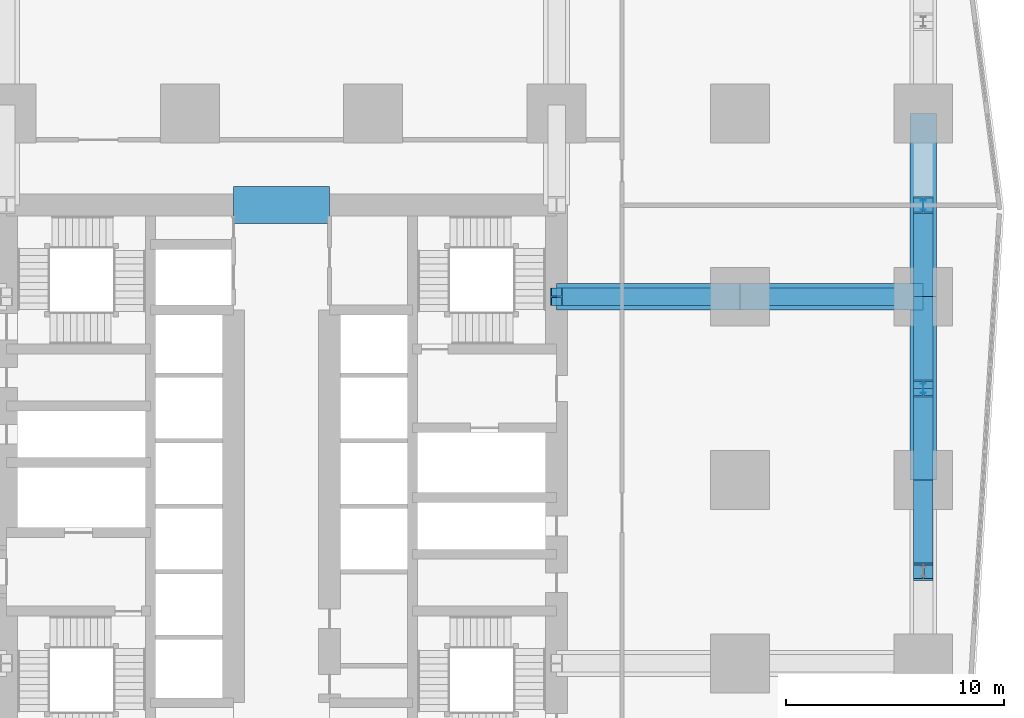
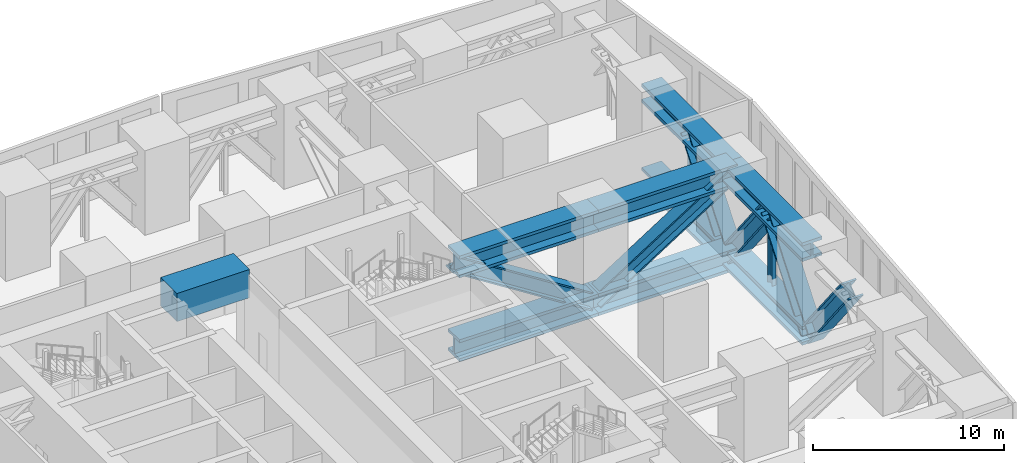
# One storey, part 5 of 16: 16 members, 1 beam.
"""IFC4 building model written with IfcOpenShell, lengths in metres."""

from ifc_helpers import new_model, si_unit, direction, frame, origin, origin_2d, place, context, subcontext, project, spatial, rectangle, i_section, extrude, material, material_profile, profile_set, type_object, element, save


model = new_model("IFC4")

# Units and contexts
model_context = context("Model", 3, precision=1e-05, world=origin(), true_north=direction((0.0, 1.0)))
body_context = subcontext(model_context, "Body", "Model", "MODEL_VIEW")
ifc_project = project(units=[si_unit("LENGTHUNIT", "METRE"), si_unit("AREAUNIT", "SQUARE_METRE"), si_unit("VOLUMEUNIT", "CUBIC_METRE"), si_unit("PLANEANGLEUNIT", "RADIAN"), si_unit("MASSUNIT", "GRAM", prefix="KILO")], contexts=[model_context])

# Site, building, storey
site_placement = place(None, origin())
site = spatial("IfcSite", under=ifc_project, at=site_placement, CompositionType="ELEMENT")
building_placement = place(site_placement, origin())
building = spatial("IfcBuilding", under=site, at=building_placement, Name="Rekha Terrace Tower", CompositionType="ELEMENT")
storey_placement = place(building_placement, frame((0.0, 0.0, 162.800048828125)))
storey = spatial("IfcBuildingStorey", under=building, at=storey_placement, Name="L41", CompositionType="ELEMENT", Elevation=162.800048828125)

# Members
ifc_material_1 = material(Name="Steel E350", Category="steel")
ifc_material_profile_1 = material_profile(ifc_material_1, i_section(OverallWidth=1.199951171875, OverallDepth=1.199951171875, WebThickness=0.1298828125, FlangeThickness=0.199951171875, at=origin_2d()), Name="BU 1200x1200x130x200")
ifc_profile_set_1 = profile_set([ifc_material_profile_1], Name="Steel E350")
member_type_1 = type_object("IfcMemberType", Name="BC41 BU 1200x1200x130x200 belt truss chord", PredefinedType="CHORD", material=ifc_profile_set_1)
for number, where, z_axis, x_axis, name in (
    (1, (67.199951171875, 33.60009765625, 4.300048828125), (0.0, 1.0, 0.0), (-1.0, 0.0, 0.0), "Belt top chord 9E-9F L41"),
    (2, (67.199951171875, 33.60009765625, -1.050048828125), (0.0, 1.0, 0.0), (-1.0, 0.0, 0.0), "Belt bottom chord 9E-9F L41"),
    (3, (67.199951171875, 42.0, 4.300048828125), (0.0, 1.0, 0.0), (-1.0, 0.0, 0.0), "Belt top chord 9F-9G L41"),
    (4, (67.199951171875, 42.0, -1.050048828125), (0.0, 1.0, 0.0), (-1.0, 0.0, 0.0), "Belt bottom chord 9F-9G L41"),
):
    element("IfcMember", number, at=place(storey_placement, frame(where, z_axis=z_axis, x_axis=x_axis)), inside=storey, type_object=member_type_1, Name=name, PredefinedType="CHORD", context=body_context, shape_type="SweptSolid", body=[
        extrude(i_section(OverallWidth=1.199951171875, OverallDepth=1.199951171875, WebThickness=0.1298828125, FlangeThickness=0.199951171875, at=origin_2d()), origin(), (0.0, 0.0, 1.0), 8.39990234375),
    ])
ifc_material_profile_2 = material_profile(ifc_material_1, i_section(OverallWidth=0.89990234375, OverallDepth=1.0, WebThickness=0.06005859375, FlangeThickness=0.10009765625, at=origin_2d()), Name="BU 1000x900x60x100")
ifc_profile_set_2 = profile_set([ifc_material_profile_2], Name="Steel E350")
member_type_2 = type_object("IfcMemberType", Name="BD41 BU 1000x900x60x100 belt truss diagonal", PredefinedType="BRACE", material=ifc_profile_set_2)
for number, where, z_axis, x_axis, name in (
    (5, (67.199951171875, 33.60009765625, -1.050048828125), (0.0, -0.617507634842, 0.78656488665), (1.0, 0.0, 0.0), "Belt diagonal 9D-9E L41"),
    (6, (67.199951171875, 33.60009765625, -1.050048828125), (0.0, 0.617485427507, 0.786582320432), (-1.0, 0.0, 0.0), "Belt diagonal 9E-9F L41"),
    (7, (67.199951171875, 42.0, -1.050048828125), (0.0, -0.617485427507, 0.786582320432), (1.0, 0.0, 0.0), "Belt diagonal 9E-9F L41"),
    (8, (67.199951171875, 42.0, -1.050048828125), (0.0, 0.617485427507, 0.786582320432), (-1.0, 0.0, 0.0), "Belt diagonal 9F-9G L41"),
):
    element("IfcMember", number, at=place(storey_placement, frame(where, z_axis=z_axis, x_axis=x_axis)), inside=storey, type_object=member_type_2, Name=name, PredefinedType="BRACE", context=body_context, shape_type="SweptSolid", body=[
        extrude(i_section(OverallWidth=0.89990234375, OverallDepth=1.0, WebThickness=0.06005859375, FlangeThickness=0.10009765625, at=origin_2d()), origin(), (0.0, 0.0, 1.0), 6.8017578125),
    ])
ifc_material_profile_3 = material_profile(ifc_material_1, i_section(OverallWidth=0.25, OverallDepth=0.449951171875, WebThickness=0.01123046875, FlangeThickness=0.017333984375, FilletRadius=0.014892578125, at=origin_2d()), Name="ISHB 450")
ifc_profile_set_3 = profile_set([ifc_material_profile_3], Name="Steel E350")
member_type_3 = type_object("IfcMemberType", Name="BV41 ISHB 450 belt truss post", PredefinedType="POST", material=ifc_profile_set_3)
for number, where, z_axis, x_axis, name in (
    (9, (67.199951171875, 37.800048828125, -0.449951171875), (0.0, 0.0, 1.0), (1.0, 0.0, 0.0), "Belt post 9E-9F L41"),
    (10, (67.199951171875, 46.199951171875, -0.449951171875), (0.0, 0.0, 1.0), (1.0, 0.0, 0.0), "Belt post 9F-9G L41"),
):
    element("IfcMember", number, at=place(storey_placement, frame(where, z_axis=z_axis, x_axis=x_axis)), inside=storey, type_object=member_type_3, Name=name, PredefinedType="POST", context=body_context, shape_type="SweptSolid", body=[
        extrude(i_section(OverallWidth=0.25, OverallDepth=0.449951171875, WebThickness=0.01123046875, FlangeThickness=0.017333984375, FilletRadius=0.014892578125, at=origin_2d()), origin(), (0.0, 0.0, 1.0), 4.14990234375),
    ])

# Beam
ifc_material_2 = material(Name="Concrete M60", Category="concrete")
ifc_material_profile_4 = material_profile(ifc_material_2, rectangle(XDim=1.699951171875, YDim=1.800048828125, at=origin_2d()), Name="RC 1700x1800")
ifc_profile_set_4 = profile_set([ifc_material_profile_4], Name="Concrete M60")
beam_type = type_object("IfcBeamType", Name="LB3B 1700x1800 diagonally reinforced coupling beam", PredefinedType="LINTEL", material=ifc_profile_set_4)
beam_placement = place(storey_placement, frame((35.60009765625, 46.199951171875, 4.5), z_axis=(1.0, 0.0, 0.0), x_axis=(0.0, 1.0, 0.0)))
element("IfcBeam", 11, at=beam_placement, inside=storey, type_object=beam_type, Name="Coupling beam LB3B N L41", PredefinedType="LINTEL", context=body_context, shape_type="SweptSolid", body=[
    extrude(rectangle(XDim=1.699951171875, YDim=1.800048828125, at=origin_2d()), origin(), (0.0, 0.0, 1.0), 4.39990234375),
])

# Members
ifc_material_profile_5 = material_profile(ifc_material_1, i_section(OverallWidth=1.199951171875, OverallDepth=1.39990234375, WebThickness=0.139892578125, FlangeThickness=0.18994140625, at=origin_2d()), Name="BU 1400x1200x140x190")
ifc_profile_set_5 = profile_set([ifc_material_profile_5], Name="Steel E350")
member_type_4 = type_object("IfcMemberType", Name="OC41 BU 1400x1200x140x190 outrigger chord", PredefinedType="CHORD", material=ifc_profile_set_5)
for number, where, z_axis, x_axis, name in (
    (12, (50.39990234375, 42.0, 4.300048828125), (1.0, 0.0, 0.0), (0.0, 1.0, 0.0), "Outrigger top chord EF-1 L41"),
    (13, (50.39990234375, 42.0, -1.050048828125), (1.0, 0.0, 0.0), (0.0, 1.0, 0.0), "Outrigger bottom chord EF-1 L41"),
):
    element("IfcMember", number, at=place(storey_placement, frame(where, z_axis=z_axis, x_axis=x_axis)), inside=storey, type_object=member_type_4, Name=name, PredefinedType="CHORD", context=body_context, shape_type="SweptSolid", body=[
        extrude(i_section(OverallWidth=1.199951171875, OverallDepth=1.39990234375, WebThickness=0.139892578125, FlangeThickness=0.18994140625, at=origin_2d()), origin(), (0.0, 0.0, 1.0), 8.400146484375),
    ])
for number, where, z_axis, x_axis, name in (
    (14, (58.800048828125, 42.0, 4.300048828125), (1.0, 0.0, 0.0), (0.0, 1.0, 0.0), "Outrigger top chord EF-2 L41"),
    (15, (58.800048828125, 42.0, -1.050048828125), (1.0, 0.0, 0.0), (0.0, 1.0, 0.0), "Outrigger bottom chord EF-2 L41"),
):
    element("IfcMember", number, at=place(storey_placement, frame(where, z_axis=z_axis, x_axis=x_axis)), inside=storey, type_object=member_type_4, Name=name, PredefinedType="CHORD", context=body_context, shape_type="SweptSolid", body=[
        extrude(i_section(OverallWidth=1.199951171875, OverallDepth=1.39990234375, WebThickness=0.139892578125, FlangeThickness=0.18994140625, at=origin_2d()), origin(), (0.0, 0.0, 1.0), 8.39990234375),
    ])
ifc_material_profile_6 = material_profile(ifc_material_1, i_section(OverallWidth=0.800048828125, OverallDepth=1.0, WebThickness=0.050048828125, FlangeThickness=0.090087890625, at=origin_2d()), Name="BU 1000x800x50x90")
ifc_profile_set_6 = profile_set([ifc_material_profile_6], Name="Steel E350")
member_type_5 = type_object("IfcMemberType", Name="OD41 BU 1000x800x50x90 outrigger diagonal", PredefinedType="BRACE", material=ifc_profile_set_6)
member_1_placement = place(storey_placement, frame((50.39990234375, 42.0, 4.300048828125), z_axis=(0.843454497748, 0.0, -0.537200623816), x_axis=(0.0, 1.0, 0.0)))
element("IfcMember", 16, at=member_1_placement, inside=storey, type_object=member_type_5, Name="Outrigger diagonal EF-1 L41", PredefinedType="BRACE", context=body_context, shape_type="SweptSolid", body=[
    extrude(i_section(OverallWidth=0.800048828125, OverallDepth=1.0, WebThickness=0.050048828125, FlangeThickness=0.090087890625, at=origin_2d()), origin(), (0.0, 0.0, 1.0), 9.959228515625),
])
member_2_placement = place(storey_placement, frame((58.800048828125, 42.0, -1.050048828125), z_axis=(0.843447423157, 0.0, 0.537211731415), x_axis=(0.0, 1.0, 0.0)))
element("IfcMember", 17, at=member_2_placement, inside=storey, type_object=member_type_5, Name="Outrigger diagonal EF-2 L41", PredefinedType="BRACE", context=body_context, shape_type="SweptSolid", body=[
    extrude(i_section(OverallWidth=0.800048828125, OverallDepth=1.0, WebThickness=0.050048828125, FlangeThickness=0.090087890625, at=origin_2d()), origin(), (0.0, 0.0, 1.0), 9.958984375),
])

save(model, "model.ifc")
